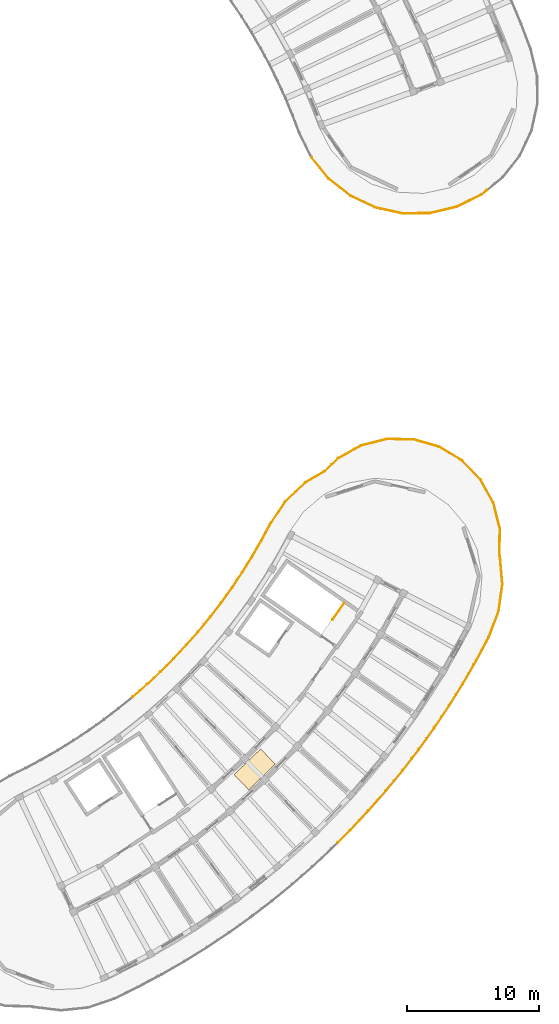
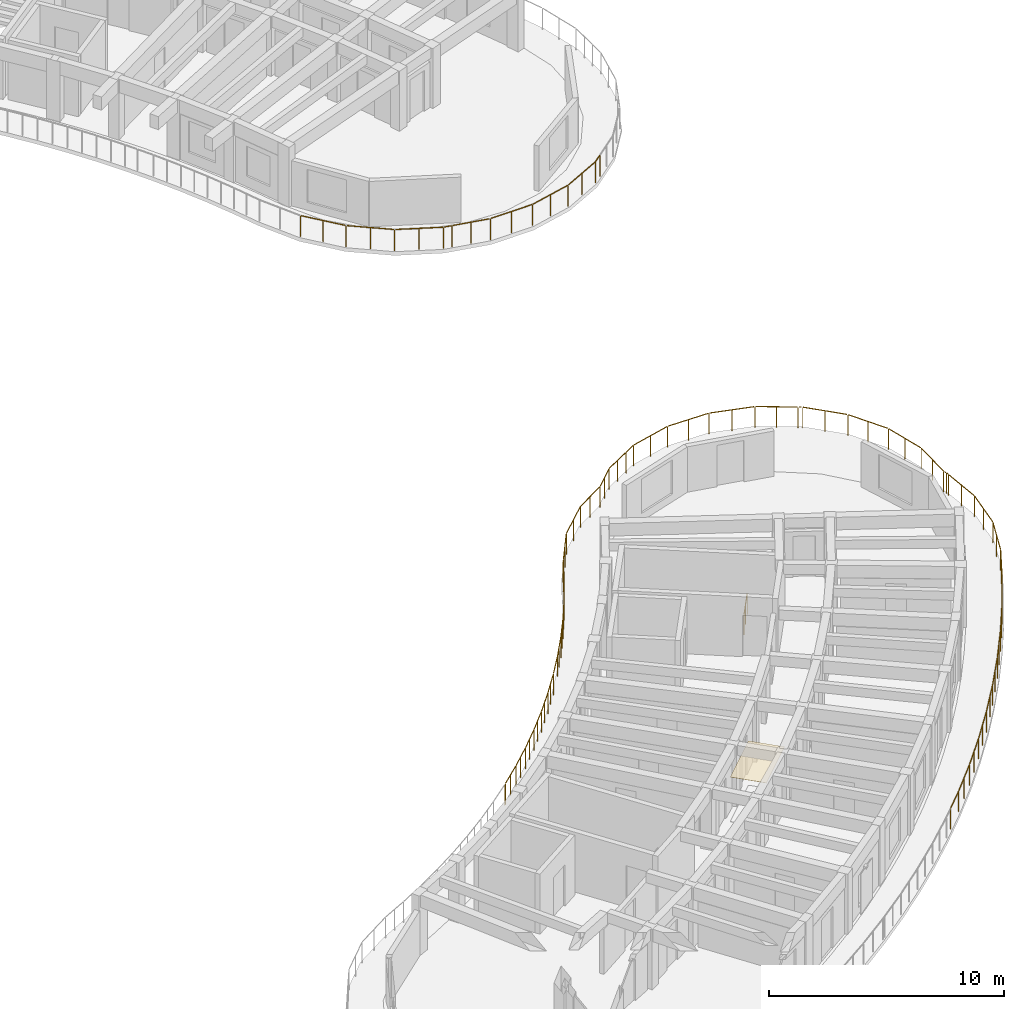
# One storey, part 51 of 56: 11 railings, 1 covering.
"""IFC4 building model written with IfcOpenShell, lengths in metres."""

from ifc_helpers import new_model, si_unit, direction, frame, origin, origin_2d, place, context, subcontext, project, spatial, rectangle, circle, extrude, material, layer, layer_set, type_object, element, save


model = new_model("IFC4")

# Units and contexts
model_context = context("Model", 3, precision=1e-05, world=origin(), true_north=direction((0.0, 1.0)))
body_context = subcontext(model_context, "Body", "Model", "MODEL_VIEW")
ifc_project = project(units=[si_unit("LENGTHUNIT", "METRE"), si_unit("AREAUNIT", "SQUARE_METRE"), si_unit("VOLUMEUNIT", "CUBIC_METRE"), si_unit("PLANEANGLEUNIT", "RADIAN"), si_unit("MASSUNIT", "GRAM", prefix="KILO")], contexts=[model_context])

# Site, building, storey
site_placement = place(None, origin())
site = spatial("IfcSite", under=ifc_project, at=site_placement, CompositionType="ELEMENT")
building_placement = place(site_placement, origin())
building = spatial("IfcBuilding", under=site, at=building_placement, Name="Tanwirah Colonnade Gardens", CompositionType="ELEMENT")
storey_placement = place(building_placement, frame((0.0, 0.0, 29.0)))
storey = spatial("IfcBuildingStorey", under=building, at=storey_placement, Name="L08", CompositionType="ELEMENT", Elevation=29.0)

# Railings
ifc_material_1 = material(Name="Precast concrete C40/50", Category="concrete")
railing_type_1 = type_object("IfcRailingType", Name="BAL-EXT110", PredefinedType="BALUSTRADE", material=ifc_material_1)
railing_1_placement = place(storey_placement, frame((148.530517578125, 31.8876953125, 0.0)))
element("IfcRailing", 1, at=railing_1_placement, inside=storey, type_object=railing_type_1, Name="Block D L08 Balcony Ribbon Balustrade 3", PredefinedType="BALUSTRADE", context=body_context, shape_type="SweptSolid", body=[
    extrude(circle(Radius=0.02392578125, at=origin_2d()), frame((0.070556640625, 0.058837890625, 1.076171875), z_axis=(0.752565845379, 0.658517006894, 0.0), x_axis=(-0.658517006894, 0.752565845379, 0.0)), (0.0, 0.0, 1.0), 1.33154296875),
    extrude(circle(Radius=0.02392578125, at=origin_2d()), frame((1.12109375, 0.9794921875, 1.076171875), z_axis=(0.730612417562, 0.682792424756, 0.0), x_axis=(-0.682792424756, 0.730612417562, 0.0)), (0.0, 0.0, 1.0), 1.331298828125),
    extrude(circle(Radius=0.02392578125, at=origin_2d()), frame((2.140625, 1.933837890625, 1.076171875), z_axis=(0.707894448134, 0.706318235855, 0.0), x_axis=(-0.706318235855, 0.707894448134, 0.0)), (0.0, 0.0, 1.0), 1.33154296875),
    extrude(circle(Radius=0.02392578125, at=origin_2d()), frame((3.12841796875, 2.921142578125, 1.076171875), z_axis=(0.684424509294, 0.729083733928, 0.0), x_axis=(-0.729083733928, 0.684424509294, 0.0)), (0.0, 0.0, 1.0), 1.33154296875),
    extrude(circle(Radius=0.02392578125, at=origin_2d()), frame((4.08349609375, 3.940185546875, 1.076171875), z_axis=(0.660288280901, 0.751012240982, 0.0), x_axis=(-0.751012240982, 0.660288280901, 0.0)), (0.0, 0.0, 1.0), 1.33154296875),
    extrude(circle(Radius=0.02392578125, at=origin_2d()), frame((5.004638671875, 4.989990234375, 1.076171875), z_axis=(0.635209885743, 0.77233956331, 0.0), x_axis=(-0.77233956331, 0.635209885743, 0.0)), (0.0, 0.0, 1.0), 1.33154296875),
    extrude(circle(Radius=0.02099609375, at=origin_2d()), origin(), (0.0, 0.0, 1.0), 1.049072265625),
    extrude(circle(Radius=0.02099609375, at=origin_2d()), frame((0.047119140625, 0.038330078125, 0.0)), (0.0, 0.0, 1.0), 1.049072265625),
    extrude(circle(Radius=0.02099609375, at=origin_2d()), frame((0.57177734375, 0.497314453125, 0.0)), (0.0, 0.0, 1.0), 1.049072265625),
    extrude(circle(Radius=0.02099609375, at=origin_2d()), frame((1.09619140625, 0.956298828125, 0.0)), (0.0, 0.0, 1.0), 1.049072265625),
    extrude(circle(Radius=0.02099609375, at=origin_2d()), frame((1.607421875, 1.43408203125, 0.0)), (0.0, 0.0, 1.0), 1.049072265625),
    extrude(circle(Radius=0.02099609375, at=origin_2d()), frame((2.116455078125, 1.909912109375, 0.0)), (0.0, 0.0, 1.0), 1.049072265625),
    extrude(circle(Radius=0.02099609375, at=origin_2d()), frame((2.61181640625, 2.404296875, 0.0)), (0.0, 0.0, 1.0), 1.049072265625),
    extrude(circle(Radius=0.02099609375, at=origin_2d()), frame((3.105224609375, 2.896484375, 0.0)), (0.0, 0.0, 1.0), 1.049072265625),
    extrude(circle(Radius=0.02099609375, at=origin_2d()), frame((3.583984375, 3.40673828125, 0.0)), (0.0, 0.0, 1.0), 1.049072265625),
    extrude(circle(Radius=0.02099609375, at=origin_2d()), frame((4.06103515625, 3.914794921875, 0.0)), (0.0, 0.0, 1.0), 1.049072265625),
    extrude(circle(Radius=0.02099609375, at=origin_2d()), frame((4.52294921875, 4.440185546875, 0.0)), (0.0, 0.0, 1.0), 1.049072265625),
    extrude(circle(Radius=0.02099609375, at=origin_2d()), frame((4.983154296875, 4.963623046875, 0.0)), (0.0, 0.0, 1.0), 1.049072265625),
    extrude(circle(Radius=0.02099609375, at=origin_2d()), frame((5.427734375, 5.504150390625, 0.0)), (0.0, 0.0, 1.0), 1.049072265625),
    extrude(circle(Radius=0.02099609375, at=origin_2d()), frame((5.870361328125, 6.04248046875, 0.0)), (0.0, 0.0, 1.0), 1.049072265625),
    extrude(circle(Radius=0.02099609375, at=origin_2d()), frame((5.908203125, 6.091552734375, 0.0)), (0.0, 0.0, 1.0), 1.049072265625),
])
railing_2_placement = place(storey_placement, frame((154.438720703125, 37.979248046875, 0.0)))
element("IfcRailing", 2, at=railing_2_placement, inside=storey, type_object=railing_type_1, Name="Block D L08 Balcony Ribbon Balustrade 4", PredefinedType="BALUSTRADE", context=body_context, shape_type="SweptSolid", body=[
    extrude(circle(Radius=0.02392578125, at=origin_2d()), frame((0.01904296875, 0.024658203125, 1.076171875), z_axis=(0.609701920383, 0.792630789385, 0.0), x_axis=(-0.792630789385, 0.609701920383, 0.0)), (0.0, 0.0, 1.0), 1.272216796875),
    extrude(circle(Radius=0.02392578125, at=origin_2d()), frame((0.83349609375, 1.08544921875, 1.076171875), z_axis=(0.58342309678, 0.812168387802, 0.0), x_axis=(-0.812168387802, 0.58342309678, 0.0)), (0.0, 0.0, 1.0), 1.331298828125),
    extrude(circle(Radius=0.02392578125, at=origin_2d()), frame((1.647216796875, 2.22021484375, 1.076171875), z_axis=(0.55655786635, 0.830808847692, 0.0), x_axis=(-0.830808847692, 0.55655786635, 0.0)), (0.0, 0.0, 1.0), 1.33154296875),
    extrude(circle(Radius=0.02392578125, at=origin_2d()), frame((2.423583984375, 3.38134765625, 1.076171875), z_axis=(0.529022666758, 0.848607693847, 0.0), x_axis=(-0.848607693847, 0.529022666758, 0.0)), (0.0, 0.0, 1.0), 1.33154296875),
    extrude(circle(Radius=0.02392578125, at=origin_2d()), frame((3.161376953125, 4.567138671875, 1.076171875), z_axis=(0.501015561301, 0.865438274711, 0.0), x_axis=(-0.865438274711, 0.501015561301, 0.0)), (0.0, 0.0, 1.0), 1.33154296875),
    extrude(circle(Radius=0.02392578125, at=origin_2d()), frame((3.860107421875, 5.7763671875, 1.076171875), z_axis=(0.472391966796, 0.881388580427, 0.0), x_axis=(-0.881388580427, 0.472391966796, 0.0)), (0.0, 0.0, 1.0), 1.32763671875),
    extrude(circle(Radius=0.02392578125, at=origin_2d()), frame((4.51953125, 7.000244140625, 1.076171875), z_axis=(0.554094040306, 0.832454079512, 0.0), x_axis=(-0.832454079512, 0.554094040306, 0.0)), (0.0, 0.0, 1.0), 0.12353515625),
    extrude(circle(Radius=0.02099609375, at=origin_2d()), origin(), (0.0, 0.0, 1.0), 1.049072265625),
    extrude(circle(Radius=0.02099609375, at=origin_2d()), frame((0.813720703125, 1.057861328125, 0.0)), (0.0, 0.0, 1.0), 1.049072265625),
    extrude(circle(Radius=0.02099609375, at=origin_2d()), frame((1.2216796875, 1.6259765625, 0.0)), (0.0, 0.0, 1.0), 1.049072265625),
    extrude(circle(Radius=0.02099609375, at=origin_2d()), frame((1.62841796875, 2.192138671875, 0.0)), (0.0, 0.0, 1.0), 1.049072265625),
    extrude(circle(Radius=0.02099609375, at=origin_2d()), frame((2.017822265625, 2.7734375, 0.0)), (0.0, 0.0, 1.0), 1.049072265625),
    extrude(circle(Radius=0.02099609375, at=origin_2d()), frame((2.40576171875, 3.3525390625, 0.0)), (0.0, 0.0, 1.0), 1.049072265625),
    extrude(circle(Radius=0.02099609375, at=origin_2d()), frame((2.77587890625, 3.9462890625, 0.0)), (0.0, 0.0, 1.0), 1.049072265625),
    extrude(circle(Radius=0.02099609375, at=origin_2d()), frame((3.14453125, 4.537841796875, 0.0)), (0.0, 0.0, 1.0), 1.049072265625),
    extrude(circle(Radius=0.02099609375, at=origin_2d()), frame((3.4951171875, 5.143310546875, 0.0)), (0.0, 0.0, 1.0), 1.049072265625),
    extrude(circle(Radius=0.02099609375, at=origin_2d()), frame((3.84423828125, 5.74658203125, 0.0)), (0.0, 0.0, 1.0), 1.049072265625),
    extrude(circle(Radius=0.02099609375, at=origin_2d()), frame((4.173828125, 6.361328125, 0.0)), (0.0, 0.0, 1.0), 1.049072265625),
    extrude(circle(Radius=0.02099609375, at=origin_2d()), frame((4.502197265625, 6.97412109375, 0.0)), (0.0, 0.0, 1.0), 1.049072265625),
    extrude(circle(Radius=0.02099609375, at=origin_2d()), frame((4.605224609375, 7.12890625, 0.0)), (0.0, 0.0, 1.0), 1.049072265625),
])
railing_3_placement = place(storey_placement, frame((159.0439453125, 45.108154296875, 0.0)))
element("IfcRailing", 3, at=railing_3_placement, inside=storey, type_object=railing_type_1, Name="Block D L08 Balcony Ribbon Balustrade 5", PredefinedType="BALUSTRADE", context=body_context, shape_type="SweptSolid", body=[
    extrude(circle(Radius=0.02392578125, at=origin_2d()), frame((0.017333984375, 0.026123046875, 1.076171875), z_axis=(0.554581963879, 0.832129103769, 0.0), x_axis=(-0.832129103769, 0.554581963879, 0.0)), (0.0, 0.0, 1.0), 1.84375),
    extrude(circle(Radius=0.02392578125, at=origin_2d()), frame((1.079833984375, 1.607666015625, 1.076171875), z_axis=(0.72580510626, 0.687900390846, 0.0), x_axis=(-0.687900390846, 0.72580510626, 0.0)), (0.0, 0.0, 1.0), 2.0244140625),
    extrude(circle(Radius=0.02392578125, at=origin_2d()), frame((2.5986328125, 3.03759765625, 1.076171875), z_axis=(0.860634061895, 0.50922393061, 0.0), x_axis=(-0.50922393061, 0.860634061895, 0.0)), (0.0, 0.0, 1.0), 1.64990234375),
    extrude(circle(Radius=0.02392578125, at=origin_2d()), frame((4.0830078125, 3.9267578125, 1.076171875), z_axis=(0.719315955714, 0.694683061443, 0.0), x_axis=(-0.694683061443, 0.719315955714, 0.0)), (0.0, 0.0, 1.0), 1.315185546875),
    extrude(circle(Radius=0.02392578125, at=origin_2d()), frame((5.078857421875, 4.877197265625, 1.076171875), z_axis=(0.874585207125, 0.484871854699, 0.0), x_axis=(-0.484871854699, 0.874585207125, 0.0)), (0.0, 0.0, 1.0), 1.335693359375),
    extrude(circle(Radius=0.02099609375, at=origin_2d()), origin(), (0.0, 0.0, 1.0), 1.049072265625),
    extrude(circle(Radius=0.02099609375, at=origin_2d()), frame((0.528564453125, 0.79296875, 0.0)), (0.0, 0.0, 1.0), 1.049072265625),
    extrude(circle(Radius=0.02099609375, at=origin_2d()), frame((1.05712890625, 1.586181640625, 0.0)), (0.0, 0.0, 1.0), 1.049072265625),
    extrude(circle(Radius=0.02099609375, at=origin_2d()), frame((1.814453125, 2.303955078125, 0.0)), (0.0, 0.0, 1.0), 1.049072265625),
    extrude(circle(Radius=0.02099609375, at=origin_2d()), frame((2.57177734375, 3.021728515625, 0.0)), (0.0, 0.0, 1.0), 1.049072265625),
    extrude(circle(Radius=0.02099609375, at=origin_2d()), frame((3.30859375, 3.457763671875, 0.0)), (0.0, 0.0, 1.0), 1.049072265625),
    extrude(circle(Radius=0.02099609375, at=origin_2d()), frame((4.045654296875, 3.893798828125, 0.0)), (0.0, 0.0, 1.0), 1.049072265625),
    extrude(circle(Radius=0.02099609375, at=origin_2d()), frame((4.55615234375, 4.383544921875, 0.0)), (0.0, 0.0, 1.0), 1.049072265625),
    extrude(circle(Radius=0.02099609375, at=origin_2d()), frame((5.051513671875, 4.862060546875, 0.0)), (0.0, 0.0, 1.0), 1.049072265625),
    extrude(circle(Radius=0.02099609375, at=origin_2d()), frame((5.6630859375, 5.201171875, 0.0)), (0.0, 0.0, 1.0), 1.049072265625),
    extrude(circle(Radius=0.02099609375, at=origin_2d()), frame((6.2744140625, 5.5400390625, 0.0)), (0.0, 0.0, 1.0), 1.049072265625),
])
railing_4_placement = place(storey_placement, frame((165.318359375, 50.648193359375, 0.0)))
element("IfcRailing", 4, at=railing_4_placement, inside=storey, type_object=railing_type_1, Name="Block D L08 Balcony Ribbon Balustrade 6", PredefinedType="BALUSTRADE", context=body_context, shape_type="SweptSolid", body=[
    extrude(circle(Radius=0.02392578125, at=origin_2d()), frame((0.02734375, 0.01513671875, 1.076171875), z_axis=(0.874623567378, 0.484802656126, 0.0), x_axis=(-0.484802656126, 0.874623567378, 0.0)), (0.0, 0.0, 1.0), 0.554443359375),
    extrude(circle(Radius=0.02392578125, at=origin_2d()), frame((0.56982421875, 0.306640625, 1.076171875), z_axis=(0.970291971588, 0.241936954334, 0.0), x_axis=(-0.241936954334, 0.970291971588, 0.0)), (0.0, 0.0, 1.0), 1.95263671875),
    extrude(circle(Radius=0.02392578125, at=origin_2d()), frame((2.526123046875, 0.7861328125, 1.076171875), z_axis=(0.999847814894, -0.017445545298, 0.0), x_axis=(0.017445545298, 0.999847814894, 0.0)), (0.0, 0.0, 1.0), 1.95263671875),
    extrude(circle(Radius=0.02392578125, at=origin_2d()), frame((4.539794921875, 0.742919921875, 1.076171875), z_axis=(0.961262912287, -0.275633113871, 0.0), x_axis=(0.275633113871, 0.961262912287, 0.0)), (0.0, 0.0, 1.0), 1.95263671875),
    extrude(circle(Radius=0.02392578125, at=origin_2d()), frame((6.4736328125, 0.179931640625, 1.076171875), z_axis=(0.85715279701, -0.515062212338, 0.0), x_axis=(0.515062212338, 0.85715279701, 0.0)), (0.0, 0.0, 1.0), 1.775146484375),
    extrude(circle(Radius=0.02099609375, at=origin_2d()), origin(), (0.0, 0.0, 1.0), 1.049072265625),
    extrude(circle(Radius=0.02099609375, at=origin_2d()), frame((0.53955078125, 0.299072265625, 0.0)), (0.0, 0.0, 1.0), 1.049072265625),
    extrude(circle(Radius=0.02099609375, at=origin_2d()), frame((1.51708984375, 0.54296875, 0.0)), (0.0, 0.0, 1.0), 1.049072265625),
    extrude(circle(Radius=0.02099609375, at=origin_2d()), frame((2.494873046875, 0.78662109375, 0.0)), (0.0, 0.0, 1.0), 1.049072265625),
    extrude(circle(Radius=0.02099609375, at=origin_2d()), frame((3.50244140625, 0.76904296875, 0.0)), (0.0, 0.0, 1.0), 1.049072265625),
    extrude(circle(Radius=0.02099609375, at=origin_2d()), frame((4.509765625, 0.75146484375, 0.0)), (0.0, 0.0, 1.0), 1.049072265625),
    extrude(circle(Radius=0.02099609375, at=origin_2d()), frame((5.478271484375, 0.4736328125, 0.0)), (0.0, 0.0, 1.0), 1.049072265625),
    extrude(circle(Radius=0.02099609375, at=origin_2d()), frame((6.44677734375, 0.196044921875, 0.0)), (0.0, 0.0, 1.0), 1.049072265625),
    extrude(circle(Radius=0.02099609375, at=origin_2d()), frame((7.234375, -0.27734375, 0.0)), (0.0, 0.0, 1.0), 1.049072265625),
    extrude(circle(Radius=0.02099609375, at=origin_2d()), frame((8.02197265625, -0.75048828125, 0.0)), (0.0, 0.0, 1.0), 1.049072265625),
])
railing_5_placement = place(storey_placement, frame((173.34033203125, 49.897705078125, 0.0)))
element("IfcRailing", 5, at=railing_5_placement, inside=storey, type_object=railing_type_1, Name="Block D L08 Balcony Ribbon Balustrade 7", PredefinedType="BALUSTRADE", context=body_context, shape_type="SweptSolid", body=[
    extrude(circle(Radius=0.02392578125, at=origin_2d()), frame((0.02685546875, -0.01611328125, 1.076171875), z_axis=(0.85676400785, -0.515708672462, 0.0), x_axis=(0.515708672462, 0.85676400785, 0.0)), (0.0, 0.0, 1.0), 0.114990234375),
    extrude(circle(Radius=0.02392578125, at=origin_2d()), frame((0.173828125, -0.114013671875, 1.076171875), z_axis=(0.694702613371, -0.719297072826, 0.0), x_axis=(0.719297072826, 0.694702613371, 0.0)), (0.0, 0.0, 1.0), 1.95263671875),
    extrude(circle(Radius=0.02392578125, at=origin_2d()), frame((1.567138671875, -1.568359375, 1.076171875), z_axis=(0.484850671451, -0.874596950826, 0.0), x_axis=(0.874596950826, 0.484850671451, 0.0)), (0.0, 0.0, 1.0), 1.95263671875),
    extrude(circle(Radius=0.02392578125, at=origin_2d()), frame((2.53662109375, -3.333740234375, 1.076171875), z_axis=(0.241822890462, -0.970320405664, 0.0), x_axis=(0.970320405664, 0.241822890462, 0.0)), (0.0, 0.0, 1.0), 1.95263671875),
    extrude(circle(Radius=0.02392578125, at=origin_2d()), frame((3.015869140625, -5.2900390625, 1.076171875), z_axis=(-0.01738435709, -0.999848880646, 0.0), x_axis=(0.999848880646, -0.01738435709, 0.0)), (0.0, 0.0, 1.0), 1.903564453125),
    extrude(circle(Radius=0.02392578125, at=origin_2d()), frame((2.99560546875, -7.280029296875, 1.076171875), z_axis=(0.30305294563, -0.952973720595, 0.0), x_axis=(0.952973720595, 0.30305294563, 0.0)), (0.0, 0.0, 1.0), 0.0712890625),
    extrude(circle(Radius=0.02392578125, at=origin_2d()), frame((3.029296875, -7.408935546875, 1.076171875), z_axis=(0.085722257873, -0.996319072639, 0.0), x_axis=(0.996319072639, 0.085722257873, 0.0)), (0.0, 0.0, 1.0), 0.08837890625),
    extrude(circle(Radius=0.02099609375, at=origin_2d()), origin(), (0.0, 0.0, 1.0), 1.049072265625),
    extrude(circle(Radius=0.02099609375, at=origin_2d()), frame((0.152099609375, -0.091552734375, 0.0)), (0.0, 0.0, 1.0), 1.049072265625),
    extrude(circle(Radius=0.02099609375, at=origin_2d()), frame((0.85205078125, -0.81640625, 0.0)), (0.0, 0.0, 1.0), 1.049072265625),
    extrude(circle(Radius=0.02099609375, at=origin_2d()), frame((1.552001953125, -1.541015625, 0.0)), (0.0, 0.0, 1.0), 1.049072265625),
    extrude(circle(Radius=0.02099609375, at=origin_2d()), frame((2.04052734375, -2.42236328125, 0.0)), (0.0, 0.0, 1.0), 1.049072265625),
    extrude(circle(Radius=0.02099609375, at=origin_2d()), frame((2.529052734375, -3.303466796875, 0.0)), (0.0, 0.0, 1.0), 1.049072265625),
    extrude(circle(Radius=0.02099609375, at=origin_2d()), frame((2.772705078125, -4.28125, 0.0)), (0.0, 0.0, 1.0), 1.049072265625),
    extrude(circle(Radius=0.02099609375, at=origin_2d()), frame((3.016357421875, -5.2587890625, 0.0)), (0.0, 0.0, 1.0), 1.049072265625),
    extrude(circle(Radius=0.02099609375, at=origin_2d()), frame((2.999267578125, -6.24169921875, 0.0)), (0.0, 0.0, 1.0), 1.049072265625),
    extrude(circle(Radius=0.02099609375, at=origin_2d()), frame((2.982177734375, -7.224609375, 0.0)), (0.0, 0.0, 1.0), 1.049072265625),
    extrude(circle(Radius=0.02099609375, at=origin_2d()), frame((3.026611328125, -7.377685546875, 0.0)), (0.0, 0.0, 1.0), 1.049072265625),
    extrude(circle(Radius=0.02099609375, at=origin_2d()), frame((3.03955078125, -7.528076171875, 0.0)), (0.0, 0.0, 1.0), 1.049072265625),
])
railing_6_placement = place(storey_placement, frame((176.3798828125, 42.36962890625, 0.0)))
element("IfcRailing", 6, at=railing_6_placement, inside=storey, type_object=railing_type_1, Name="Block D L08 Balcony Ribbon Balustrade 8", PredefinedType="BALUSTRADE", context=body_context, shape_type="SweptSolid", body=[
    extrude(circle(Radius=0.02392578125, at=origin_2d()), frame((0.002685546875, -0.03125, 1.076171875), z_axis=(0.085247340631, -0.996359820003, 0.0), x_axis=(0.996359820003, 0.085247340631, 0.0)), (0.0, 0.0, 1.0), 1.87353515625),
    extrude(circle(Radius=0.02392578125, at=origin_2d()), frame((0.16064453125, -1.9599609375, 1.076171875), z_axis=(-0.138521623248, -0.990359409453, 0.0), x_axis=(0.990359409453, -0.138521623248, 0.0)), (0.0, 0.0, 1.0), 2.024169921875),
    extrude(circle(Radius=0.02392578125, at=origin_2d()), frame((-0.13525390625, -4.02490234375, 1.076171875), z_axis=(-0.355432017333, -0.934702134937, 0.0), x_axis=(0.934702134937, -0.355432017333, 0.0)), (0.0, 0.0, 1.0), 2.0283203125),
    extrude(circle(Radius=0.02392578125, at=origin_2d()), frame((-0.8818359375, -5.9775390625, 1.076171875), z_axis=(-0.472390551626, -0.881389338905, 0.0), x_axis=(0.881389338905, -0.472390551626, 0.0)), (0.0, 0.0, 1.0), 1.940185546875),
    extrude(circle(Radius=0.02392578125, at=origin_2d()), frame((-1.828857421875, -7.7421875, 1.076171875), z_axis=(-0.500860651221, -0.865527936036, 0.0), x_axis=(0.865527936036, -0.500860651221, 0.0)), (0.0, 0.0, 1.0), 0.321044921875),
    extrude(circle(Radius=0.02099609375, at=origin_2d()), origin(), (0.0, 0.0, 1.0), 1.049072265625),
    extrude(circle(Radius=0.02099609375, at=origin_2d()), frame((0.08251953125, -0.96435546875, 0.0)), (0.0, 0.0, 1.0), 1.049072265625),
    extrude(circle(Radius=0.02099609375, at=origin_2d()), frame((0.1650390625, -1.928955078125, 0.0)), (0.0, 0.0, 1.0), 1.049072265625),
    extrude(circle(Radius=0.02099609375, at=origin_2d()), frame((0.0205078125, -2.96240234375, 0.0)), (0.0, 0.0, 1.0), 1.049072265625),
    extrude(circle(Radius=0.02099609375, at=origin_2d()), frame((-0.1240234375, -3.99560546875, 0.0)), (0.0, 0.0, 1.0), 1.049072265625),
    extrude(circle(Radius=0.02099609375, at=origin_2d()), frame((-0.49560546875, -4.97265625, 0.0)), (0.0, 0.0, 1.0), 1.049072265625),
    extrude(circle(Radius=0.02099609375, at=origin_2d()), frame((-0.8671875, -5.949951171875, 0.0)), (0.0, 0.0, 1.0), 1.049072265625),
    extrude(circle(Radius=0.02099609375, at=origin_2d()), frame((-1.34033203125, -6.83251953125, 0.0)), (0.0, 0.0, 1.0), 1.049072265625),
    extrude(circle(Radius=0.02099609375, at=origin_2d()), frame((-1.813232421875, -7.715087890625, 0.0)), (0.0, 0.0, 1.0), 1.049072265625),
    extrude(circle(Radius=0.02099609375, at=origin_2d()), frame((-2.00537109375, -8.047119140625, 0.0)), (0.0, 0.0, 1.0), 1.049072265625),
])
railing_7_placement = place(storey_placement, frame((174.37451171875, 34.322509765625, 0.0)))
element("IfcRailing", 7, at=railing_7_placement, inside=storey, type_object=railing_type_1, Name="Block D L08 Balcony Ribbon Balustrade 9", PredefinedType="BALUSTRADE", context=body_context, shape_type="SweptSolid", body=[
    extrude(circle(Radius=0.02392578125, at=origin_2d()), frame((-0.015625, -0.027099609375, 1.076171875), z_axis=(-0.500959176784, -0.865470914125, 0.0), x_axis=(0.865470914125, -0.500959176784, 0.0)), (0.0, 0.0, 1.0), 1.560302734375),
    extrude(circle(Radius=0.02392578125, at=origin_2d()), frame((-0.82958984375, -1.43115234375, 1.076171875), z_axis=(-0.529003375217, -0.848619719903, 0.0), x_axis=(0.848619719903, -0.529003375217, 0.0)), (0.0, 0.0, 1.0), 1.944091796875),
    extrude(circle(Radius=0.02392578125, at=origin_2d()), frame((-1.891845703125, -3.13330078125, 1.076171875), z_axis=(-0.556495801451, -0.830850421537, 0.0), x_axis=(0.830850421537, -0.556495801451, 0.0)), (0.0, 0.0, 1.0), 1.944091796875),
    extrude(circle(Radius=0.02392578125, at=origin_2d()), frame((-3.009521484375, -4.800048828125, 1.076171875), z_axis=(-0.583285007996, -0.812267566413, 0.0), x_axis=(0.812267566413, -0.583285007996, 0.0)), (0.0, 0.0, 1.0), 1.944091796875),
    extrude(circle(Radius=0.02392578125, at=origin_2d()), frame((-4.1806640625, -6.42919921875, 1.076171875), z_axis=(-0.609752050407, -0.792592226195, 0.0), x_axis=(0.792592226195, -0.609752050407, 0.0)), (0.0, 0.0, 1.0), 0.794677734375),
    extrude(circle(Radius=0.02099609375, at=origin_2d()), origin(), (0.0, 0.0, 1.0), 1.049072265625),
    extrude(circle(Radius=0.02099609375, at=origin_2d()), frame((-0.406494140625, -0.7021484375, 0.0)), (0.0, 0.0, 1.0), 1.049072265625),
    extrude(circle(Radius=0.02099609375, at=origin_2d()), frame((-0.81298828125, -1.404541015625, 0.0)), (0.0, 0.0, 1.0), 1.049072265625),
    extrude(circle(Radius=0.02099609375, at=origin_2d()), frame((-1.34375, -2.255859375, 0.0)), (0.0, 0.0, 1.0), 1.049072265625),
    extrude(circle(Radius=0.02099609375, at=origin_2d()), frame((-1.87451171875, -3.107421875, 0.0)), (0.0, 0.0, 1.0), 1.049072265625),
    extrude(circle(Radius=0.02099609375, at=origin_2d()), frame((-2.432861328125, -3.94091796875, 0.0)), (0.0, 0.0, 1.0), 1.049072265625),
    extrude(circle(Radius=0.02099609375, at=origin_2d()), frame((-2.9912109375, -4.774658203125, 0.0)), (0.0, 0.0, 1.0), 1.049072265625),
    extrude(circle(Radius=0.02099609375, at=origin_2d()), frame((-3.576416015625, -5.589599609375, 0.0)), (0.0, 0.0, 1.0), 1.049072265625),
    extrude(circle(Radius=0.02099609375, at=origin_2d()), frame((-4.16162109375, -6.404541015625, 0.0)), (0.0, 0.0, 1.0), 1.049072265625),
    extrude(circle(Radius=0.02099609375, at=origin_2d()), frame((-4.684326171875, -7.083984375, 0.0)), (0.0, 0.0, 1.0), 1.049072265625),
])
railing_8_placement = place(storey_placement, frame((169.690185546875, 27.238525390625, 0.0)))
element("IfcRailing", 8, at=railing_8_placement, inside=storey, type_object=railing_type_1, Name="Block D L08 Balcony Ribbon Balustrade 10", PredefinedType="BALUSTRADE", context=body_context, shape_type="SweptSolid", body=[
    extrude(circle(Radius=0.02392578125, at=origin_2d()), frame((-0.01904296875, -0.02490234375, 1.076171875), z_axis=(-0.609608105511, -0.79270294417, 0.0), x_axis=(0.79270294417, -0.609608105511, 0.0)), (0.0, 0.0, 1.0), 1.0869140625),
    extrude(circle(Radius=0.02392578125, at=origin_2d()), frame((-0.720458984375, -0.935302734375, 1.076171875), z_axis=(-0.635216698846, -0.77233395983, 0.0), x_axis=(0.77233395983, -0.635216698846, 0.0)), (0.0, 0.0, 1.0), 1.944091796875),
    extrude(circle(Radius=0.02392578125, at=origin_2d()), frame((-1.99609375, -2.484375, 1.076171875), z_axis=(-0.660199900943, -0.751089935224, 0.0), x_axis=(0.751089935224, -0.660199900943, 0.0)), (0.0, 0.0, 1.0), 1.944091796875),
    extrude(circle(Radius=0.02392578125, at=origin_2d()), frame((-3.321533203125, -3.99072265625, 1.076171875), z_axis=(-0.684365955264, -0.729138696871, 0.0), x_axis=(0.729138696871, -0.684365955264, 0.0)), (0.0, 0.0, 1.0), 1.944091796875),
    extrude(circle(Radius=0.02392578125, at=origin_2d()), frame((-4.695556640625, -5.453125, 1.076171875), z_axis=(-0.707931822287, -0.706280776316, 0.0), x_axis=(0.706280776316, -0.707931822287, 0.0)), (0.0, 0.0, 1.0), 1.268310546875),
    extrude(circle(Radius=0.02099609375, at=origin_2d()), origin(), (0.0, 0.0, 1.0), 1.049072265625),
    extrude(circle(Radius=0.02099609375, at=origin_2d()), frame((-0.70068359375, -0.9111328125, 0.0)), (0.0, 0.0, 1.0), 1.049072265625),
    extrude(circle(Radius=0.02099609375, at=origin_2d()), frame((-1.337890625, -1.68603515625, 0.0)), (0.0, 0.0, 1.0), 1.049072265625),
    extrude(circle(Radius=0.02099609375, at=origin_2d()), frame((-1.975341796875, -2.4609375, 0.0)), (0.0, 0.0, 1.0), 1.049072265625),
    extrude(circle(Radius=0.02099609375, at=origin_2d()), frame((-2.6376953125, -3.21435546875, 0.0)), (0.0, 0.0, 1.0), 1.049072265625),
    extrude(circle(Radius=0.02099609375, at=origin_2d()), frame((-3.300048828125, -3.968017578125, 0.0)), (0.0, 0.0, 1.0), 1.049072265625),
    extrude(circle(Radius=0.02099609375, at=origin_2d()), frame((-3.98681640625, -4.69970703125, 0.0)), (0.0, 0.0, 1.0), 1.049072265625),
    extrude(circle(Radius=0.02099609375, at=origin_2d()), frame((-4.67333984375, -5.43115234375, 0.0)), (0.0, 0.0, 1.0), 1.049072265625),
    extrude(circle(Radius=0.02099609375, at=origin_2d()), frame((-5.615478515625, -6.37109375, 0.0)), (0.0, 0.0, 1.0), 1.049072265625),
])
railing_type_2 = type_object("IfcRailingType", Name="BAL-EXT112", PredefinedType="BALUSTRADE", material=ifc_material_1)
railing_9_placement = place(storey_placement, frame((175.374267578125, 70.28466796875, 0.0)))
element("IfcRailing", 9, at=railing_9_placement, inside=storey, type_object=railing_type_2, Name="Block B L08 Balcony Ribbon Balustrade 19", PredefinedType="BALUSTRADE", context=body_context, shape_type="SweptSolid", body=[
    extrude(circle(Radius=0.02392578125, at=origin_2d()), frame((-0.024169921875, -0.019775390625, 1.09619140625), z_axis=(-0.776490426468, -0.630129048373, 0.0), x_axis=(0.630129048373, -0.776490426468, 0.0)), (0.0, 0.0, 1.0), 0.472900390625),
    extrude(circle(Radius=0.02392578125, at=origin_2d()), frame((-0.44384765625, -0.351318359375, 1.09619140625), z_axis=(-0.897194210898, -0.441636216735, 0.0), x_axis=(0.441636216735, -0.897194210898, 0.0)), (0.0, 0.0, 1.0), 2.0244140625),
    extrude(circle(Radius=0.02392578125, at=origin_2d()), frame((-2.318603515625, -1.266357421875, 1.09619140625), z_axis=(-0.972970402289, -0.230929851403, 0.0), x_axis=(0.230929851403, -0.972970402289, 0.0)), (0.0, 0.0, 1.0), 2.0244140625),
    extrude(circle(Radius=0.02392578125, at=origin_2d()), frame((-4.349853515625, -1.7412109375, 1.09619140625), z_axis=(-0.999963536115, -0.008539697957, 0.0), x_axis=(0.008539697957, -0.999963536115, 0.0)), (0.0, 0.0, 1.0), 2.0244140625),
    extrude(circle(Radius=0.02392578125, at=origin_2d()), frame((-6.43603515625, -1.752197265625, 1.09619140625), z_axis=(-0.976786773382, 0.214213910255, 0.0), x_axis=(-0.214213910255, -0.976786773382, 0.0)), (0.0, 0.0, 1.0), 1.641357421875),
    extrude(circle(Radius=0.02099609375, at=origin_2d()), origin(), (0.0, 0.0, 1.0), 1.069091796875),
    extrude(circle(Radius=0.02099609375, at=origin_2d()), frame((-0.415771484375, -0.33740234375, 0.0)), (0.0, 0.0, 1.0), 1.069091796875),
    extrude(circle(Radius=0.02099609375, at=origin_2d()), frame((-1.35205078125, -0.79833984375, 0.0)), (0.0, 0.0, 1.0), 1.069091796875),
    extrude(circle(Radius=0.02099609375, at=origin_2d()), frame((-2.2880859375, -1.259033203125, 0.0)), (0.0, 0.0, 1.0), 1.069091796875),
    extrude(circle(Radius=0.02099609375, at=origin_2d()), frame((-3.30322265625, -1.5, 0.0)), (0.0, 0.0, 1.0), 1.069091796875),
    extrude(circle(Radius=0.02099609375, at=origin_2d()), frame((-4.318603515625, -1.740966796875, 0.0)), (0.0, 0.0, 1.0), 1.069091796875),
    extrude(circle(Radius=0.02099609375, at=origin_2d()), frame((-5.362060546875, -1.75, 0.0)), (0.0, 0.0, 1.0), 1.069091796875),
    extrude(circle(Radius=0.02099609375, at=origin_2d()), frame((-6.405517578125, -1.7587890625, 0.0)), (0.0, 0.0, 1.0), 1.069091796875),
    extrude(circle(Radius=0.02099609375, at=origin_2d()), frame((-7.23779296875, -1.576171875, 0.0)), (0.0, 0.0, 1.0), 1.069091796875),
    extrude(circle(Radius=0.02099609375, at=origin_2d()), frame((-8.06982421875, -1.393798828125, 0.0)), (0.0, 0.0, 1.0), 1.069091796875),
])
railing_10_placement = place(storey_placement, frame((167.304443359375, 68.890869140625, 0.0)))
element("IfcRailing", 10, at=railing_10_placement, inside=storey, type_object=railing_type_2, Name="Block B L08 Balcony Ribbon Balustrade 20", PredefinedType="BALUSTRADE", context=body_context, shape_type="SweptSolid", body=[
    extrude(circle(Radius=0.02392578125, at=origin_2d()), frame((-0.030517578125, 0.006591796875, 1.09619140625), z_axis=(-0.976945726931, 0.213487813778, 0.0), x_axis=(-0.213487813778, -0.976945726931, 0.0)), (0.0, 0.0, 1.0), 0.320556640625),
    extrude(circle(Radius=0.02392578125, at=origin_2d()), frame((-0.402587890625, 0.09521484375, 1.09619140625), z_axis=(-0.90464099264, 0.426174464786, 0.0), x_axis=(-0.426174464786, -0.90464099264, 0.0)), (0.0, 0.0, 1.0), 2.0244140625),
    extrude(circle(Radius=0.02392578125, at=origin_2d()), frame((-2.286865234375, 0.990478515625, 1.09619140625), z_axis=(-0.78712959931, 0.616787640838, 0.0), x_axis=(-0.616787640838, -0.78712959931, 0.0)), (0.0, 0.0, 1.0), 2.024169921875),
    extrude(circle(Radius=0.02392578125, at=origin_2d()), frame((-3.924560546875, 2.282470703125, 1.09619140625), z_axis=(-0.630200574628, 0.776432376797, 0.0), x_axis=(-0.776432376797, -0.630200574628, 0.0)), (0.0, 0.0, 1.0), 2.0244140625),
    extrude(circle(Radius=0.02099609375, at=origin_2d()), origin(), (0.0, 0.0, 1.0), 1.069091796875),
    extrude(circle(Radius=0.02099609375, at=origin_2d()), frame((-0.374267578125, 0.081787109375, 0.0)), (0.0, 0.0, 1.0), 1.069091796875),
    extrude(circle(Radius=0.02099609375, at=origin_2d()), frame((-1.318359375, 0.5263671875, 0.0)), (0.0, 0.0, 1.0), 1.069091796875),
    extrude(circle(Radius=0.02099609375, at=origin_2d()), frame((-2.26220703125, 0.97119140625, 0.0)), (0.0, 0.0, 1.0), 1.069091796875),
    extrude(circle(Radius=0.02099609375, at=origin_2d()), frame((-3.08349609375, 1.61474609375, 0.0)), (0.0, 0.0, 1.0), 1.069091796875),
    extrude(circle(Radius=0.02099609375, at=origin_2d()), frame((-3.90478515625, 2.25830078125, 0.0)), (0.0, 0.0, 1.0), 1.069091796875),
    extrude(circle(Radius=0.02099609375, at=origin_2d()), frame((-4.5625, 3.068359375, 0.0)), (0.0, 0.0, 1.0), 1.069091796875),
    extrude(circle(Radius=0.02099609375, at=origin_2d()), frame((-5.219970703125, 3.878662109375, 0.0)), (0.0, 0.0, 1.0), 1.069091796875),
])

# Covering
ifc_material_2 = material(Name="Acoustic perforated gypsum ceiling board")
ifc_layer = layer(ifc_material_2, 0.014892578125)
ifc_layer_set = layer_set([ifc_layer], Name="Acoustic perforated gypsum ceiling board")
covering_type = type_object("IfcCoveringType", Name="COV-CEIL15", PredefinedType="CEILING", material=ifc_layer_set)
covering_placement = place(storey_placement, frame((157.7822265625, 26.410888671875, 2.3125), z_axis=(0.0, 0.0, 1.0), x_axis=(0.719339800339, 0.694658370459, 0.0)))
element("IfcCovering", 11, at=covering_placement, inside=storey, type_object=covering_type, Name="Block D L08 Corridor Acoustic Ceiling", PredefinedType="CEILING", context=body_context, shape_type="SweptSolid", body=[
    extrude(rectangle(XDim=2.800048828125, YDim=1.60009765625, at=origin_2d()), origin(), (0.0, 0.0, 1.0), 0.014892578125),
])

# Railing
ifc_material_3 = material(Name="Powder-coated galvanized steel", Category="steel")
railing_type_3 = type_object("IfcRailingType", Name="GRD-ST110", PredefinedType="GUARDRAIL", material=ifc_material_3)
railing_11_placement = place(storey_placement, frame((164.554931640625, 39.007568359375, 0.0)))
element("IfcRailing", 12, at=railing_11_placement, inside=storey, type_object=railing_type_3, Name="L08 ST-D2 top well guard 1", PredefinedType="GUARDRAIL", context=body_context, shape_type="SweptSolid", body=[
    extrude(circle(Radius=0.02392578125, at=origin_2d()), frame((-0.017822265625, -0.025634765625, 1.076171875), z_axis=(-0.573579377721, -0.819149984711, 0.0), x_axis=(0.819149984711, -0.573579377721, 0.0)), (0.0, 0.0, 1.0), 1.4775390625),
    extrude(circle(Radius=0.02099609375, at=origin_2d()), origin(), (0.0, 0.0, 1.0), 1.049072265625),
    extrude(circle(Radius=0.02099609375, at=origin_2d()), frame((-0.441650390625, -0.630859375, 0.0)), (0.0, 0.0, 1.0), 1.049072265625),
    extrude(circle(Radius=0.02099609375, at=origin_2d()), frame((-0.88330078125, -1.261474609375, 0.0)), (0.0, 0.0, 1.0), 1.049072265625),
])

save(model, "model.ifc")
